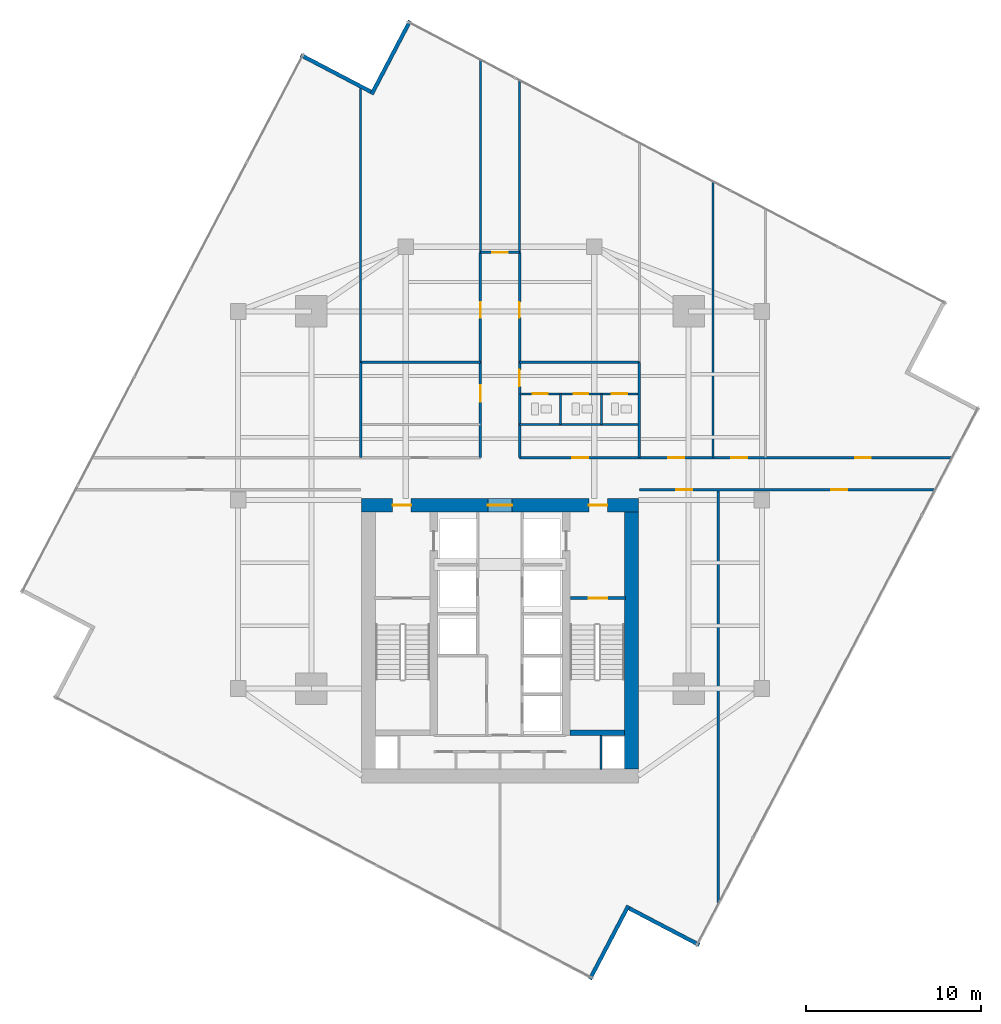
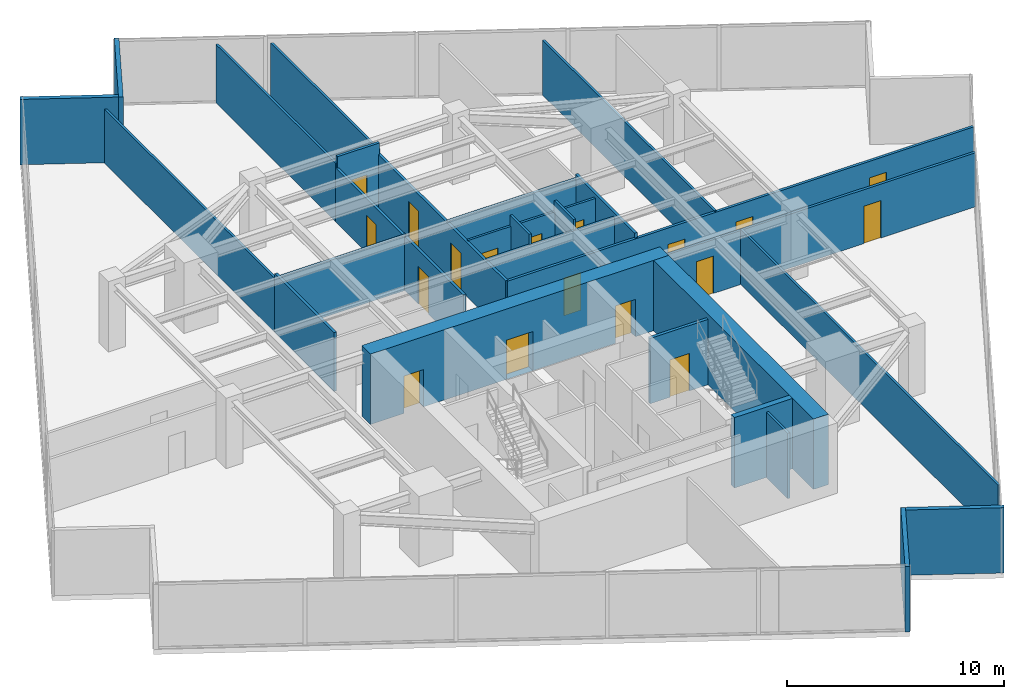
# One storey, part 24 of 27: 27 walls, 18 doors, 18 openings.
"""IFC4 building model written with IfcOpenShell, lengths in metres."""

from ifc_helpers import new_model, si_unit, direction, frame, frame_2d, origin, place, context, subcontext, project, spatial, rectangle, extrude, material, layer, layer_set, type_object, element, fill, save


model = new_model("IFC4")

# Units and contexts
model_context = context("Model", 3, precision=1e-05, world=origin(), true_north=direction((0.0, 1.0)))
body_context = subcontext(model_context, "Body", "Model", "MODEL_VIEW")
ifc_project = project(units=[si_unit("LENGTHUNIT", "METRE"), si_unit("AREAUNIT", "SQUARE_METRE"), si_unit("VOLUMEUNIT", "CUBIC_METRE"), si_unit("PLANEANGLEUNIT", "RADIAN"), si_unit("MASSUNIT", "GRAM", prefix="KILO")], contexts=[model_context])

# Site, building, storey
site_placement = place(None, origin())
site = spatial("IfcSite", under=ifc_project, at=site_placement, CompositionType="ELEMENT")
building_placement = place(site_placement, origin())
building = spatial("IfcBuilding", under=site, at=building_placement, Name="Krantzveldt Concourse Tower", CompositionType="ELEMENT")
storey_placement = place(building_placement, frame((0.0, 0.0, 154.10009765625)))
storey = spatial("IfcBuildingStorey", under=building, at=storey_placement, Name="L37", CompositionType="ELEMENT", Elevation=154.10009765625)

# Walls
ifc_material_1 = material(Name="Anodised aluminium 6063-T6", Category="aluminium")
ifc_layer_1 = layer(ifc_material_1, 0.219970703125, Name="Anodised aluminium 6063-T6", Category="aluminium")
ifc_layer_set_1 = layer_set([ifc_layer_1], Name="Anodised aluminium 6063-T6 (WL-EXT-NOTCH220)")
wall_type_1 = type_object("IfcWallType", Name="WL-EXT-NOTCH220", PredefinedType="ELEMENTEDWALL", material=ifc_layer_set_1)
wall_1_placement = place(storey_placement, frame((28.6005859375, 50.087158203125, 0.0), z_axis=(0.0, 0.0, 1.0), x_axis=(-0.885997280363, 0.463690434653, 0.0)))
element("IfcWall", 1, at=wall_1_placement, inside=storey, type_object=wall_type_1, Name="EW-L37-NCH00", PredefinedType="ELEMENTEDWALL", context=body_context, shape_type="SweptSolid", body=[
    extrude(rectangle(XDim=4.52490234375, YDim=0.219970703125, at=frame_2d((2.262451171875, 0.0))), origin(), (0.0, 0.0, 1.0), 3.669921875),
])
wall_2_placement = place(storey_placement, frame((41.15283203125, -0.74267578125, 0.0), z_axis=(0.0, 0.0, 1.0), x_axis=(0.463643579795, 0.886021800474, 0.0)))
element("IfcWall", 2, at=wall_2_placement, inside=storey, type_object=wall_type_1, Name="EW-L37-NCH05", PredefinedType="ELEMENTEDWALL", context=body_context, shape_type="SweptSolid", body=[
    extrude(rectangle(XDim=4.744873046875, YDim=0.219970703125, at=frame_2d((2.37255859375, 0.0))), origin(), (0.0, 0.0, 1.0), 3.669921875),
])
wall_3_placement = place(storey_placement, frame((43.3994140625, 3.31298828125, 0.0), z_axis=(0.0, 0.0, 1.0), x_axis=(0.885997280363, -0.463690434653, 0.0)))
element("IfcWall", 3, at=wall_3_placement, inside=storey, type_object=wall_type_1, Name="EW-L37-NCH06", PredefinedType="ELEMENTEDWALL", context=body_context, shape_type="SweptSolid", body=[
    extrude(rectangle(XDim=4.52490234375, YDim=0.219970703125, at=frame_2d((2.262451171875, 0.0))), origin(), (0.0, 0.0, 1.0), 3.669921875),
])
wall_4_placement = place(storey_placement, frame((30.84716796875, 54.142578125, 0.0), z_axis=(0.0, 0.0, 1.0), x_axis=(-0.463643579795, -0.886021800474, 0.0)))
element("IfcWall", 4, at=wall_4_placement, inside=storey, type_object=wall_type_1, Name="EW-L37-NCH11", PredefinedType="ELEMENTEDWALL", context=body_context, shape_type="SweptSolid", body=[
    extrude(rectangle(XDim=4.744873046875, YDim=0.219970703125, at=frame_2d((2.37255859375, 0.0))), origin(), (0.0, 0.0, 1.0), 3.669921875),
])
ifc_material_2 = material(Name="Fire-rated gypsum plasterboard on steel stud", Category="steel")
ifc_layer_2 = layer(ifc_material_2, 0.1201171875, Name="Fire-rated gypsum plasterboard on steel stud", Category="steel")
ifc_layer_set_2 = layer_set([ifc_layer_2], Name="Fire-rated gypsum plasterboard on steel stud (WL-PART-120)")
wall_type_2 = type_object("IfcWallType", Name="WL-PART-120", PredefinedType="PARTITIONING", material=ifc_layer_set_2)
wall_5_placement = place(storey_placement, frame((37.1201171875, 31.02001953125, 0.0), z_axis=(0.0, 0.0, 1.0), x_axis=(1.0, 0.0, 0.0)))
element("IfcWall", 5, at=wall_5_placement, inside=storey, type_object=wall_type_2, Name="WP-L37-ISMR", PredefinedType="PARTITIONING", context=body_context, shape_type="SweptSolid", body=[
    extrude(rectangle(XDim=6.85986328125, YDim=0.1201171875, at=frame_2d((3.429931640625, 0.0))), origin(), (0.0, 0.0, 1.0), 3.079833984375),
])

# Wall, openings, doors
wall_6_placement = place(storey_placement, frame((37.14990234375, 32.780029296875, 0.0), z_axis=(0.0, 0.0, 1.0), x_axis=(1.0, 0.0, 0.0)))
wall_6 = element("IfcWall", 6, at=wall_6_placement, inside=storey, type_object=wall_type_2, Name="WP-L37-WCHDR", PredefinedType="PARTITIONING", context=body_context, shape_type="SweptSolid", body=[
    extrude(rectangle(XDim=6.800048828125, YDim=0.1201171875, at=frame_2d((3.39990234375, 0.0))), origin(), (0.0, 0.0, 1.0), 3.079833984375),
])
opening_1_placement = place(wall_6_placement, frame((0.72509765625, 0.0, 0.0)))
opening_1 = element("IfcOpeningElement", 7, at=opening_1_placement, cuts=wall_6, Name="Opening D-IN085", PredefinedType="OPENING", context=body_context, shape_type="SweptSolid", body=[
    extrude(rectangle(XDim=0.85009765625, YDim=2.10009765625, at=frame_2d((0.425048828125, 1.050048828125))), frame((0.0, 0.070068359375, 0.0), z_axis=(0.0, -1.0, 0.0), x_axis=(1.0, 0.0, 0.0)), (0.0, 0.0, 1.0), 0.14013671875),
])
opening_2_placement = place(wall_6_placement, frame((3.06494140625, 0.0, 0.0)))
opening_2 = element("IfcOpeningElement", 8, at=opening_2_placement, cuts=wall_6, Name="Opening D-IN085", PredefinedType="OPENING", context=body_context, shape_type="SweptSolid", body=[
    extrude(rectangle(XDim=0.85009765625, YDim=2.10009765625, at=frame_2d((0.425048828125, 1.050048828125))), frame((0.0, 0.070068359375, 0.0), z_axis=(0.0, -1.0, 0.0), x_axis=(1.0, 0.0, 0.0)), (0.0, 0.0, 1.0), 0.14013671875),
])
opening_3_placement = place(wall_6_placement, frame((5.25, 0.0, 0.0)))
opening_3 = element("IfcOpeningElement", 9, at=opening_3_placement, cuts=wall_6, Name="Opening D-IN090", PredefinedType="OPENING", context=body_context, shape_type="SweptSolid", body=[
    extrude(rectangle(XDim=0.89990234375, YDim=2.10009765625, at=frame_2d((0.449951171875, 1.050048828125))), frame((0.0, 0.070068359375, 0.0), z_axis=(0.0, -1.0, 0.0), x_axis=(1.0, 0.0, 0.0)), (0.0, 0.0, 1.0), 0.14013671875),
])
ifc_material_3 = material(Name="Hardwood timber", Category="wood")
door_type_1 = type_object("IfcDoorType", Name="DR-INT-850", OperationType="SINGLE_SWING_LEFT", PredefinedType="DOOR", material=ifc_material_3)
door_1_placement = place(opening_1_placement, origin())
door_1 = element("IfcDoor", 10, at=door_1_placement, inside=storey, type_object=door_type_1, Name="DR-L37-WCM", OperationType="SINGLE_SWING_LEFT", OverallHeight=2.10009765625, OverallWidth=0.85009765625, PredefinedType="DOOR", context=body_context, shape_type="SweptSolid", body=[
    extrude(rectangle(XDim=0.85009765625, YDim=2.10009765625, at=frame_2d((0.425048828125, 1.050048828125))), frame((0.0, 0.02490234375, 0.0), z_axis=(0.0, -1.0, 0.0), x_axis=(1.0, 0.0, 0.0)), (0.0, 0.0, 1.0), 0.050048828125),
])
fill(opening_1, door_1)
door_2_placement = place(opening_2_placement, origin())
door_2 = element("IfcDoor", 11, at=door_2_placement, inside=storey, type_object=door_type_1, Name="DR-L37-WCF", OperationType="SINGLE_SWING_RIGHT", OverallHeight=2.10009765625, OverallWidth=0.85009765625, PredefinedType="DOOR", context=body_context, shape_type="SweptSolid", body=[
    extrude(rectangle(XDim=0.85009765625, YDim=2.10009765625, at=frame_2d((0.425048828125, 1.050048828125))), frame((0.0, 0.02490234375, 0.0), z_axis=(0.0, -1.0, 0.0), x_axis=(1.0, 0.0, 0.0)), (0.0, 0.0, 1.0), 0.050048828125),
])
fill(opening_2, door_2)
door_type_2 = type_object("IfcDoorType", Name="DR-INT-900", OperationType="SINGLE_SWING_LEFT", PredefinedType="DOOR", material=ifc_material_3)
door_3_placement = place(opening_3_placement, origin())
door_3 = element("IfcDoor", 12, at=door_3_placement, inside=storey, type_object=door_type_2, Name="DR-L37-WCA", OperationType="SINGLE_SWING_LEFT", OverallHeight=2.10009765625, OverallWidth=0.89990234375, PredefinedType="DOOR", context=body_context, shape_type="SweptSolid", body=[
    extrude(rectangle(XDim=0.89990234375, YDim=2.10009765625, at=frame_2d((0.449951171875, 1.050048828125))), frame((0.0, 0.02490234375, 0.0), z_axis=(0.0, -1.0, 0.0), x_axis=(1.0, 0.0, 0.0)), (0.0, 0.0, 1.0), 0.050048828125),
])
fill(opening_3, door_3)

# Walls
for number, where, z_axis, x_axis, name in (
    (13, (39.469970703125, 31.02001953125, 0.0), (0.0, 0.0, 1.0), (0.0, 1.0, 0.0), "WP-L37-WCD1"),
    (14, (41.81005859375, 31.02001953125, 0.0), (0.0, 0.0, 1.0), (0.0, 1.0, 0.0), "WP-L37-WCD2"),
):
    element("IfcWall", number, at=place(storey_placement, frame(where, z_axis=z_axis, x_axis=x_axis)), inside=storey, type_object=wall_type_2, Name=name, PredefinedType="PARTITIONING", context=body_context, shape_type="SweptSolid", body=[
        extrude(rectangle(XDim=1.760009765625, YDim=0.1201171875, at=frame_2d((0.8798828125, 0.0))), origin(), (0.0, 0.0, 1.0), 3.669921875),
    ])
wall_7_placement = place(storey_placement, frame((34.8798828125, 40.8798828125, 0.0), z_axis=(0.0, 0.0, 1.0), x_axis=(0.0, 1.0, 0.0)))
element("IfcWall", 15, at=wall_7_placement, inside=storey, type_object=wall_type_2, Name="WP-L37-NTL", PredefinedType="PARTITIONING", context=body_context, shape_type="SweptSolid", body=[
    extrude(rectangle(XDim=11.0224609375, YDim=0.1201171875, at=frame_2d((5.51123046875, 0.0))), origin(), (0.0, 0.0, 1.0), 3.27978515625),
])
wall_8_placement = place(storey_placement, frame((37.1201171875, 40.8798828125, 0.0), z_axis=(0.0, 0.0, 1.0), x_axis=(0.0, 1.0, 0.0)))
element("IfcWall", 16, at=wall_8_placement, inside=storey, type_object=wall_type_2, Name="WP-L37-NTR", PredefinedType="PARTITIONING", context=body_context, shape_type="SweptSolid", body=[
    extrude(rectangle(XDim=9.85009765625, YDim=0.1201171875, at=frame_2d((4.925048828125, 0.0))), origin(), (0.0, 0.0, 1.0), 3.27978515625),
])
wall_9_placement = place(storey_placement, frame((28.02001953125, 34.580078125, 0.0), z_axis=(0.0, 0.0, 1.0), x_axis=(0.0, 1.0, 0.0)))
element("IfcWall", 17, at=wall_9_placement, inside=storey, type_object=wall_type_2, Name="WP-L37-ISWL2", PredefinedType="PARTITIONING", context=body_context, shape_type="SweptSolid", body=[
    extrude(rectangle(XDim=15.68115234375, YDim=0.1201171875, at=frame_2d((7.840576171875, 0.0))), origin(), (0.0, 0.0, 1.0), 3.02978515625),
])
wall_10_placement = place(storey_placement, frame((48.199951171875, 29.1201171875, 0.0), z_axis=(0.0, 0.0, 1.0), x_axis=(0.0, 1.0, 0.0)))
element("IfcWall", 18, at=wall_10_placement, inside=storey, type_object=wall_type_2, Name="WP-L37-NEX1", PredefinedType="PARTITIONING", context=body_context, shape_type="SweptSolid", body=[
    extrude(rectangle(XDim=15.811279296875, YDim=0.1201171875, at=frame_2d((7.90576171875, 0.0))), origin(), (0.0, 0.0, 1.0), 3.079833984375),
])
wall_11_placement = place(storey_placement, frame((48.5, 3.54833984375, 0.0), z_axis=(0.0, 0.0, 1.0), x_axis=(0.0, 1.0, 0.0)))
element("IfcWall", 19, at=wall_11_placement, inside=storey, type_object=wall_type_2, Name="WP-L37-SEX1", PredefinedType="PARTITIONING", context=body_context, shape_type="SweptSolid", body=[
    extrude(rectangle(XDim=23.731689453125, YDim=0.1201171875, at=frame_2d((11.86572265625, 0.0))), origin(), (0.0, 0.0, 1.0), 3.079833984375),
])

# Wall, openings, doors
ifc_layer_3 = layer(ifc_material_2, 0.139892578125, Name="Fire-rated gypsum plasterboard on steel stud", Category="steel")
ifc_layer_set_3 = layer_set([ifc_layer_3], Name="Fire-rated gypsum plasterboard on steel stud (WL-PART-140)")
wall_type_3 = type_object("IfcWallType", Name="WL-PART-140", PredefinedType="PARTITIONING", material=ifc_layer_set_3)
wall_12_placement = place(storey_placement, frame((34.8798828125, 29.1201171875, 0.0), z_axis=(0.0, 0.0, 1.0), x_axis=(0.0, 1.0, 0.0)))
wall_12 = element("IfcWall", 20, at=wall_12_placement, inside=storey, type_object=wall_type_3, Name="WP-L37-SPWL", PredefinedType="PARTITIONING", context=body_context, shape_type="SweptSolid", body=[
    extrude(rectangle(XDim=11.759765625, YDim=0.139892578125, at=frame_2d((5.8798828125, 0.0))), origin(), (0.0, 0.0, 1.0), 3.02978515625),
])
opening_4_placement = place(wall_12_placement, frame((3.205078125, 0.0, 0.0)))
opening_4 = element("IfcOpeningElement", 21, at=opening_4_placement, cuts=wall_12, Name="Opening D-IN095", PredefinedType="OPENING", context=body_context, shape_type="SweptSolid", body=[
    extrude(rectangle(XDim=0.949951171875, YDim=2.10009765625, at=frame_2d((0.47509765625, 1.050048828125))), frame((0.0, 0.080078125, 0.0), z_axis=(0.0, -1.0, 0.0), x_axis=(1.0, 0.0, 0.0)), (0.0, 0.0, 1.0), 0.159912109375),
])
opening_5_placement = place(wall_12_placement, frame((8.02001953125, 0.0, 0.0)))
opening_5 = element("IfcOpeningElement", 22, at=opening_5_placement, cuts=wall_12, Name="Opening D-IN090", PredefinedType="OPENING", context=body_context, shape_type="SweptSolid", body=[
    extrude(rectangle(XDim=0.89990234375, YDim=2.10009765625, at=frame_2d((0.449951171875, 1.050048828125))), frame((0.0, 0.080078125, 0.0), z_axis=(0.0, -1.0, 0.0), x_axis=(1.0, 0.0, 0.0)), (0.0, 0.0, 1.0), 0.159912109375),
])
door_4_placement = place(opening_5_placement, origin())
door_4 = element("IfcDoor", 23, at=door_4_placement, inside=storey, type_object=door_type_2, Name="DR-L37-NWI1", OperationType="SINGLE_SWING_LEFT", OverallHeight=2.10009765625, OverallWidth=0.89990234375, PredefinedType="DOOR", context=body_context, shape_type="SweptSolid", body=[
    extrude(rectangle(XDim=0.89990234375, YDim=2.10009765625, at=frame_2d((0.449951171875, 1.050048828125))), frame((0.0, 0.02490234375, 0.0), z_axis=(0.0, -1.0, 0.0), x_axis=(1.0, 0.0, 0.0)), (0.0, 0.0, 1.0), 0.050048828125),
])
fill(opening_5, door_4)
door_type_3 = type_object("IfcDoorType", Name="DR-INT-950", OperationType="SINGLE_SWING_LEFT", PredefinedType="DOOR", material=ifc_material_3)
door_5_placement = place(opening_4_placement, origin())
door_5 = element("IfcDoor", 24, at=door_5_placement, inside=storey, type_object=door_type_3, Name="DR-L37-PNT", OperationType="SINGLE_SWING_RIGHT", OverallHeight=2.10009765625, OverallWidth=0.949951171875, PredefinedType="DOOR", context=body_context, shape_type="SweptSolid", body=[
    extrude(rectangle(XDim=0.949951171875, YDim=2.10009765625, at=frame_2d((0.47509765625, 1.050048828125))), frame((0.0, 0.02490234375, 0.0), z_axis=(0.0, -1.0, 0.0), x_axis=(1.0, 0.0, 0.0)), (0.0, 0.0, 1.0), 0.050048828125),
])
fill(opening_4, door_5)

wall_13_placement = place(storey_placement, frame((37.1201171875, 29.1201171875, 0.0), z_axis=(0.0, 0.0, 1.0), x_axis=(0.0, 1.0, 0.0)))
wall_13 = element("IfcWall", 25, at=wall_13_placement, inside=storey, type_object=wall_type_3, Name="WP-L37-SPER", PredefinedType="PARTITIONING", context=body_context, shape_type="SweptSolid", body=[
    extrude(rectangle(XDim=11.759765625, YDim=0.139892578125, at=frame_2d((5.8798828125, 0.0))), origin(), (0.0, 0.0, 1.0), 3.02978515625),
])
opening_6_placement = place(wall_13_placement, frame((4.0849609375, 0.0, 0.0)))
opening_6 = element("IfcOpeningElement", 26, at=opening_6_placement, cuts=wall_13, Name="Opening D-IN095", PredefinedType="OPENING", context=body_context, shape_type="SweptSolid", body=[
    extrude(rectangle(XDim=0.949951171875, YDim=2.10009765625, at=frame_2d((0.47509765625, 1.050048828125))), frame((0.0, 0.080078125, 0.0), z_axis=(0.0, -1.0, 0.0), x_axis=(1.0, 0.0, 0.0)), (0.0, 0.0, 1.0), 0.159912109375),
])
opening_7_placement = place(wall_13_placement, frame((8.02001953125, 0.0, 0.0)))
opening_7 = element("IfcOpeningElement", 27, at=opening_7_placement, cuts=wall_13, Name="Opening D-IN090", PredefinedType="OPENING", context=body_context, shape_type="SweptSolid", body=[
    extrude(rectangle(XDim=0.89990234375, YDim=2.10009765625, at=frame_2d((0.449951171875, 1.050048828125))), frame((0.0, 0.080078125, 0.0), z_axis=(0.0, -1.0, 0.0), x_axis=(1.0, 0.0, 0.0)), (0.0, 0.0, 1.0), 0.159912109375),
])
door_6_placement = place(opening_7_placement, origin())
door_6 = element("IfcDoor", 28, at=door_6_placement, inside=storey, type_object=door_type_2, Name="DR-L37-NEI1", OperationType="SINGLE_SWING_LEFT", OverallHeight=2.10009765625, OverallWidth=0.89990234375, PredefinedType="DOOR", context=body_context, shape_type="SweptSolid", body=[
    extrude(rectangle(XDim=0.89990234375, YDim=2.10009765625, at=frame_2d((0.449951171875, 1.050048828125))), frame((0.0, 0.02490234375, 0.0), z_axis=(0.0, -1.0, 0.0), x_axis=(1.0, 0.0, 0.0)), (0.0, 0.0, 1.0), 0.050048828125),
])
fill(opening_7, door_6)
door_7_placement = place(opening_6_placement, origin())
door_7 = element("IfcDoor", 29, at=door_7_placement, inside=storey, type_object=door_type_3, Name="DR-L37-WCLB", OperationType="SINGLE_SWING_LEFT", OverallHeight=2.10009765625, OverallWidth=0.949951171875, PredefinedType="DOOR", context=body_context, shape_type="SweptSolid", body=[
    extrude(rectangle(XDim=0.949951171875, YDim=2.10009765625, at=frame_2d((0.47509765625, 1.050048828125))), frame((0.0, 0.02490234375, 0.0), z_axis=(0.0, -1.0, 0.0), x_axis=(1.0, 0.0, 0.0)), (0.0, 0.0, 1.0), 0.050048828125),
])
fill(opening_6, door_7)

# Wall, opening, door
wall_14_placement = place(storey_placement, frame((34.8798828125, 40.8798828125, 0.0), z_axis=(0.0, 0.0, 1.0), x_axis=(1.0, 0.0, 0.0)))
wall_14 = element("IfcWall", 30, at=wall_14_placement, inside=storey, type_object=wall_type_3, Name="WP-L37-SPTOP", PredefinedType="PARTITIONING", context=body_context, shape_type="SweptSolid", body=[
    extrude(rectangle(XDim=2.240234375, YDim=0.139892578125, at=frame_2d((1.1201171875, 0.0))), origin(), (0.0, 0.0, 1.0), 3.669921875),
])
opening_8_placement = place(wall_14_placement, frame((0.669921875, 0.0, 0.0)))
opening_8 = element("IfcOpeningElement", 31, at=opening_8_placement, cuts=wall_14, Name="Opening D-IN090", PredefinedType="OPENING", context=body_context, shape_type="SweptSolid", body=[
    extrude(rectangle(XDim=0.89990234375, YDim=2.10009765625, at=frame_2d((0.449951171875, 1.050048828125))), frame((0.0, 0.080078125, 0.0), z_axis=(0.0, -1.0, 0.0), x_axis=(1.0, 0.0, 0.0)), (0.0, 0.0, 1.0), 0.159912109375),
])
door_8_placement = place(opening_8_placement, origin())
door_8 = element("IfcDoor", 32, at=door_8_placement, inside=storey, type_object=door_type_2, Name="DR-L37-NTOP", OperationType="SINGLE_SWING_LEFT", OverallHeight=2.10009765625, OverallWidth=0.89990234375, PredefinedType="DOOR", context=body_context, shape_type="SweptSolid", body=[
    extrude(rectangle(XDim=0.89990234375, YDim=2.10009765625, at=frame_2d((0.449951171875, 1.050048828125))), frame((0.0, 0.02490234375, 0.0), z_axis=(0.0, -1.0, 0.0), x_axis=(1.0, 0.0, 0.0)), (0.0, 0.0, 1.0), 0.050048828125),
])
fill(opening_8, door_8)

# Wall, openings, doors
wall_15_placement = place(storey_placement, frame((37.1201171875, 29.1201171875, 0.0), z_axis=(0.0, 0.0, 1.0), x_axis=(1.0, 0.0, 0.0)))
wall_15 = element("IfcWall", 33, at=wall_15_placement, inside=storey, type_object=wall_type_3, Name="WP-L37-EWNR", PredefinedType="PARTITIONING", context=body_context, shape_type="SweptSolid", body=[
    extrude(rectangle(XDim=24.7626953125, YDim=0.139892578125, at=frame_2d((12.38134765625, 0.0))), origin(), (0.0, 0.0, 1.0), 3.02978515625),
])
opening_9_placement = place(wall_15_placement, frame((3.030029296875, 0.0, 0.0)))
opening_9 = element("IfcOpeningElement", 34, at=opening_9_placement, cuts=wall_15, Name="Opening D-IN090", PredefinedType="OPENING", context=body_context, shape_type="SweptSolid", body=[
    extrude(rectangle(XDim=0.89990234375, YDim=2.10009765625, at=frame_2d((0.449951171875, 1.050048828125))), frame((0.0, 0.080078125, 0.0), z_axis=(0.0, -1.0, 0.0), x_axis=(1.0, 0.0, 0.0)), (0.0, 0.0, 1.0), 0.159912109375),
])
opening_10_placement = place(wall_15_placement, frame((8.52001953125, 0.0, 0.0)))
opening_10 = element("IfcOpeningElement", 35, at=opening_10_placement, cuts=wall_15, Name="Opening D-IN090", PredefinedType="OPENING", context=body_context, shape_type="SweptSolid", body=[
    extrude(rectangle(XDim=0.89990234375, YDim=2.10009765625, at=frame_2d((0.449951171875, 1.050048828125))), frame((0.0, 0.080078125, 0.0), z_axis=(0.0, -1.0, 0.0), x_axis=(1.0, 0.0, 0.0)), (0.0, 0.0, 1.0), 0.159912109375),
])
opening_11_placement = place(wall_15_placement, frame((12.1298828125, 0.0, 0.0)))
opening_11 = element("IfcOpeningElement", 36, at=opening_11_placement, cuts=wall_15, Name="Opening D-IN090", PredefinedType="OPENING", context=body_context, shape_type="SweptSolid", body=[
    extrude(rectangle(XDim=0.89990234375, YDim=2.10009765625, at=frame_2d((0.449951171875, 1.050048828125))), frame((0.0, 0.080078125, 0.0), z_axis=(0.0, -1.0, 0.0), x_axis=(1.0, 0.0, 0.0)), (0.0, 0.0, 1.0), 0.159912109375),
])
opening_12_placement = place(wall_15_placement, frame((19.217041015625, 0.0, 0.0)))
opening_12 = element("IfcOpeningElement", 37, at=opening_12_placement, cuts=wall_15, Name="Opening D-IN090", PredefinedType="OPENING", context=body_context, shape_type="SweptSolid", body=[
    extrude(rectangle(XDim=0.89990234375, YDim=2.10009765625, at=frame_2d((0.449951171875, 1.050048828125))), frame((0.0, 0.080078125, 0.0), z_axis=(0.0, -1.0, 0.0), x_axis=(1.0, 0.0, 0.0)), (0.0, 0.0, 1.0), 0.159912109375),
])
door_9_placement = place(opening_9_placement, origin())
door_9 = element("IfcDoor", 38, at=door_9_placement, inside=storey, type_object=door_type_2, Name="DR-L37-ALCR", OperationType="SINGLE_SWING_RIGHT", OverallHeight=2.10009765625, OverallWidth=0.89990234375, PredefinedType="DOOR", context=body_context, shape_type="SweptSolid", body=[
    extrude(rectangle(XDim=0.89990234375, YDim=2.10009765625, at=frame_2d((0.449951171875, 1.050048828125))), frame((0.0, 0.02490234375, 0.0), z_axis=(0.0, -1.0, 0.0), x_axis=(1.0, 0.0, 0.0)), (0.0, 0.0, 1.0), 0.050048828125),
])
fill(opening_9, door_9)
door_10_placement = place(opening_10_placement, origin())
door_10 = element("IfcDoor", 39, at=door_10_placement, inside=storey, type_object=door_type_2, Name="DR-L37-NEX1", OperationType="SINGLE_SWING_RIGHT", OverallHeight=2.10009765625, OverallWidth=0.89990234375, PredefinedType="DOOR", context=body_context, shape_type="SweptSolid", body=[
    extrude(rectangle(XDim=0.89990234375, YDim=2.10009765625, at=frame_2d((0.449951171875, 1.050048828125))), frame((0.0, 0.02490234375, 0.0), z_axis=(0.0, -1.0, 0.0), x_axis=(1.0, 0.0, 0.0)), (0.0, 0.0, 1.0), 0.050048828125),
])
fill(opening_10, door_10)
door_11_placement = place(opening_11_placement, origin())
door_11 = element("IfcDoor", 40, at=door_11_placement, inside=storey, type_object=door_type_2, Name="DR-L37-NEX2", OperationType="SINGLE_SWING_RIGHT", OverallHeight=2.10009765625, OverallWidth=0.89990234375, PredefinedType="DOOR", context=body_context, shape_type="SweptSolid", body=[
    extrude(rectangle(XDim=0.89990234375, YDim=2.10009765625, at=frame_2d((0.449951171875, 1.050048828125))), frame((0.0, 0.02490234375, 0.0), z_axis=(0.0, -1.0, 0.0), x_axis=(1.0, 0.0, 0.0)), (0.0, 0.0, 1.0), 0.050048828125),
])
fill(opening_11, door_11)
door_12_placement = place(opening_12_placement, origin())
door_12 = element("IfcDoor", 41, at=door_12_placement, inside=storey, type_object=door_type_2, Name="DR-L37-NEX3", OperationType="SINGLE_SWING_RIGHT", OverallHeight=2.10009765625, OverallWidth=0.89990234375, PredefinedType="DOOR", context=body_context, shape_type="SweptSolid", body=[
    extrude(rectangle(XDim=0.89990234375, YDim=2.10009765625, at=frame_2d((0.449951171875, 1.050048828125))), frame((0.0, 0.02490234375, 0.0), z_axis=(0.0, -1.0, 0.0), x_axis=(1.0, 0.0, 0.0)), (0.0, 0.0, 1.0), 0.050048828125),
])
fill(opening_12, door_12)

wall_16_placement = place(storey_placement, frame((44.0, 27.280029296875, 0.0), z_axis=(0.0, 0.0, 1.0), x_axis=(1.0, 0.0, 0.0)))
wall_16 = element("IfcWall", 42, at=wall_16_placement, inside=storey, type_object=wall_type_3, Name="WP-L37-EWSR", PredefinedType="PARTITIONING", context=body_context, shape_type="SweptSolid", body=[
    extrude(rectangle(XDim=16.919921875, YDim=0.139892578125, at=frame_2d((8.4599609375, 0.0))), origin(), (0.0, 0.0, 1.0), 3.02978515625),
])
opening_13_placement = place(wall_16_placement, frame((2.10009765625, 0.0, 0.0)))
opening_13 = element("IfcOpeningElement", 43, at=opening_13_placement, cuts=wall_16, Name="Opening D-IN090", PredefinedType="OPENING", context=body_context, shape_type="SweptSolid", body=[
    extrude(rectangle(XDim=0.89990234375, YDim=2.10009765625, at=frame_2d((0.449951171875, 1.050048828125))), frame((0.0, 0.080078125, 0.0), z_axis=(0.0, -1.0, 0.0), x_axis=(1.0, 0.0, 0.0)), (0.0, 0.0, 1.0), 0.159912109375),
])
opening_14_placement = place(wall_16_placement, frame((10.987060546875, 0.0, 0.0)))
opening_14 = element("IfcOpeningElement", 44, at=opening_14_placement, cuts=wall_16, Name="Opening D-IN090", PredefinedType="OPENING", context=body_context, shape_type="SweptSolid", body=[
    extrude(rectangle(XDim=0.89990234375, YDim=2.10009765625, at=frame_2d((0.449951171875, 1.050048828125))), frame((0.0, 0.080078125, 0.0), z_axis=(0.0, -1.0, 0.0), x_axis=(1.0, 0.0, 0.0)), (0.0, 0.0, 1.0), 0.159912109375),
])
door_13_placement = place(opening_13_placement, origin())
door_13 = element("IfcDoor", 45, at=door_13_placement, inside=storey, type_object=door_type_2, Name="DR-L37-SEX1", OperationType="SINGLE_SWING_RIGHT", OverallHeight=2.10009765625, OverallWidth=0.89990234375, PredefinedType="DOOR", context=body_context, shape_type="SweptSolid", body=[
    extrude(rectangle(XDim=0.89990234375, YDim=2.10009765625, at=frame_2d((0.449951171875, 1.050048828125))), frame((0.0, 0.02490234375, 0.0), z_axis=(0.0, -1.0, 0.0), x_axis=(1.0, 0.0, 0.0)), (0.0, 0.0, 1.0), 0.050048828125),
])
fill(opening_13, door_13)
door_14_placement = place(opening_14_placement, origin())
door_14 = element("IfcDoor", 46, at=door_14_placement, inside=storey, type_object=door_type_2, Name="DR-L37-SEX2", OperationType="SINGLE_SWING_RIGHT", OverallHeight=2.10009765625, OverallWidth=0.89990234375, PredefinedType="DOOR", context=body_context, shape_type="SweptSolid", body=[
    extrude(rectangle(XDim=0.89990234375, YDim=2.10009765625, at=frame_2d((0.449951171875, 1.050048828125))), frame((0.0, 0.02490234375, 0.0), z_axis=(0.0, -1.0, 0.0), x_axis=(1.0, 0.0, 0.0)), (0.0, 0.0, 1.0), 0.050048828125),
])
fill(opening_14, door_14)

# Walls
for number, where, z_axis, x_axis, name in (
    (47, (28.02001953125, 34.580078125, 0.0), (0.0, 0.0, 1.0), (1.0, 0.0, 0.0), "WP-L37-ISNL"),
    (48, (37.1201171875, 34.580078125, 0.0), (0.0, 0.0, 1.0), (1.0, 0.0, 0.0), "WP-L37-ISNR"),
):
    element("IfcWall", number, at=place(storey_placement, frame(where, z_axis=z_axis, x_axis=x_axis)), inside=storey, type_object=wall_type_3, Name=name, PredefinedType="PARTITIONING", context=body_context, shape_type="SweptSolid", body=[
        extrude(rectangle(XDim=6.85986328125, YDim=0.139892578125, at=frame_2d((3.429931640625, 0.0))), origin(), (0.0, 0.0, 1.0), 3.079833984375),
    ])
for number, where, z_axis, x_axis, name in (
    (49, (28.02001953125, 29.1201171875, 0.0), (0.0, 0.0, 1.0), (0.0, 1.0, 0.0), "WP-L37-ISWL"),
    (50, (43.97998046875, 29.1201171875, 0.0), (0.0, 0.0, 1.0), (0.0, 1.0, 0.0), "WP-L37-ISER"),
):
    element("IfcWall", number, at=place(storey_placement, frame(where, z_axis=z_axis, x_axis=x_axis)), inside=storey, type_object=wall_type_3, Name=name, PredefinedType="PARTITIONING", context=body_context, shape_type="SweptSolid", body=[
        extrude(rectangle(XDim=5.4599609375, YDim=0.139892578125, at=frame_2d((2.72998046875, 0.0))), origin(), (0.0, 0.0, 1.0), 3.309814453125),
    ])
ifc_layer_4 = layer(ifc_material_2, 0.139892578125, Name="Fire-rated gypsum plasterboard on steel stud", Category="steel")
ifc_layer_set_4 = layer_set([ifc_layer_4], Name="Fire-rated gypsum plasterboard on steel stud (WL-PART-FR140)")
wall_type_4 = type_object("IfcWallType", Name="WL-PART-FR140", PredefinedType="PARTITIONING", material=ifc_layer_set_4)
wall_17_placement = place(storey_placement, frame((41.780029296875, 11.25, 0.0), z_axis=(0.0, 0.0, 1.0), x_axis=(0.0, 1.0, 0.0)))
element("IfcWall", 51, at=wall_17_placement, inside=storey, type_object=wall_type_4, Name="WP-L37-RSE", PredefinedType="PARTITIONING", context=body_context, shape_type="SweptSolid", body=[
    extrude(rectangle(XDim=1.969970703125, YDim=0.1201171875, at=frame_2d((0.98486328125, 0.0))), origin(), (0.0, 0.0, 1.0), 3.669921875),
])

# Wall, opening, door
ifc_layer_5 = layer(ifc_material_2, 0.159912109375, Name="Fire-rated gypsum plasterboard on steel stud", Category="steel")
ifc_layer_set_5 = layer_set([ifc_layer_5], Name="Fire-rated gypsum plasterboard on steel stud (WL-PART-FR160)")
wall_type_5 = type_object("IfcWallType", Name="WL-PART-FR160", PredefinedType="PARTITIONING", material=ifc_layer_set_5)
wall_18_placement = place(storey_placement, frame((40.0400390625, 21.080078125, 0.0), z_axis=(0.0, 0.0, 1.0), x_axis=(1.0, 0.0, 0.0)))
wall_18 = element("IfcWall", 52, at=wall_18_placement, inside=storey, type_object=wall_type_5, Name="WP-L37-ST2", PredefinedType="PARTITIONING", context=body_context, shape_type="SweptSolid", body=[
    extrude(rectangle(XDim=3.159912109375, YDim=0.159912109375, at=frame_2d((1.580078125, 0.0))), origin(), (0.0, 0.0, 1.0), 3.669921875),
])
opening_15_placement = place(wall_18_placement, frame((1.054931640625, 0.0, 0.0)))
opening_15 = element("IfcOpeningElement", 53, at=opening_15_placement, cuts=wall_18, Name="Opening D-FD105", PredefinedType="OPENING", context=body_context, shape_type="SweptSolid", body=[
    extrude(rectangle(XDim=1.050048828125, YDim=2.10009765625, at=frame_2d((0.52490234375, 1.050048828125))), frame((0.0, 0.08984375, 0.0), z_axis=(0.0, -1.0, 0.0), x_axis=(1.0, 0.0, 0.0)), (0.0, 0.0, 1.0), 0.179931640625),
])
ifc_material_4 = material(Name="Galvanised steel", Category="steel")
door_type_4 = type_object("IfcDoorType", Name="DR-FD120-1050", OperationType="SINGLE_SWING_LEFT", PredefinedType="DOOR", material=ifc_material_4)
door_15_placement = place(opening_15_placement, origin())
door_15 = element("IfcDoor", 54, at=door_15_placement, inside=storey, type_object=door_type_4, Name="DR-L37-ST2", OperationType="SINGLE_SWING_LEFT", OverallHeight=2.10009765625, OverallWidth=1.050048828125, PredefinedType="DOOR", context=body_context, shape_type="SweptSolid", body=[
    extrude(rectangle(XDim=1.050048828125, YDim=2.10009765625, at=frame_2d((0.52490234375, 1.050048828125))), frame((0.0, 0.02490234375, 0.0), z_axis=(0.0, -1.0, 0.0), x_axis=(1.0, 0.0, 0.0)), (0.0, 0.0, 1.0), 0.050048828125),
])
fill(opening_15, door_15)

# Wall
ifc_material_5 = material(Name="Concrete C50/60", Category="concrete")
ifc_layer_6 = layer(ifc_material_5, 0.300048828125, Name="Concrete C50/60", Category="concrete")
ifc_layer_set_6 = layer_set([ifc_layer_6], Name="Concrete C50/60 (WL-SHEAR-300)")
wall_type_6 = type_object("IfcWallType", Name="WL-SHEAR-300", PredefinedType="SHEAR", material=ifc_layer_set_6)
wall_19_placement = place(storey_placement, frame((40.02001953125, 13.3701171875, 0.0), z_axis=(0.0, 0.0, 1.0), x_axis=(1.0, 0.0, 0.0)))
element("IfcWall", 55, at=wall_19_placement, inside=storey, type_object=wall_type_6, Name="CW-L37-ST2S", PredefinedType="SHEAR", context=body_context, shape_type="SweptSolid", body=[
    extrude(rectangle(XDim=3.10009765625, YDim=0.300048828125, at=frame_2d((1.550048828125, 0.0))), origin(), (0.0, 0.0, 1.0), 3.949951171875),
])

# Wall, openings, doors
ifc_material_6 = material(Name="Concrete C60/75", Category="concrete")
ifc_layer_7 = layer(ifc_material_6, 0.800048828125, Name="Concrete C60/75", Category="concrete")
ifc_layer_set_7 = layer_set([ifc_layer_7], Name="Concrete C60/75 (WL-SHEAR-800)")
wall_type_7 = type_object("IfcWallType", Name="WL-SHEAR-800", PredefinedType="SHEAR", material=ifc_layer_set_7)
wall_20_placement = place(storey_placement, frame((28.080078125, 26.39990234375, 0.0), z_axis=(0.0, 0.0, 1.0), x_axis=(1.0, 0.0, 0.0)))
wall_20 = element("IfcWall", 56, at=wall_20_placement, inside=storey, type_object=wall_type_7, Name="CW-L37-N", PredefinedType="SHEAR", context=body_context, shape_type="SweptSolid", body=[
    extrude(rectangle(XDim=15.83984375, YDim=0.800048828125, at=frame_2d((7.919921875, 0.0))), origin(), (0.0, 0.0, 1.0), 3.949951171875),
])
opening_16_placement = place(wall_20_placement, frame((7.219970703125, 0.0, 0.0)))
opening_16 = element("IfcOpeningElement", 57, at=opening_16_placement, cuts=wall_20, Name="Opening D-DB140", PredefinedType="OPENING", context=body_context, shape_type="SweptSolid", body=[
    extrude(rectangle(XDim=1.39990234375, YDim=2.199951171875, at=frame_2d((0.699951171875, 1.10009765625))), frame((0.0, 0.41015625, 0.0), z_axis=(0.0, -1.0, 0.0), x_axis=(1.0, 0.0, 0.0)), (0.0, 0.0, 1.0), 0.820068359375),
])
opening_17_placement = place(wall_20_placement, frame((1.77490234375, 0.0, 0.0)))
opening_17 = element("IfcOpeningElement", 58, at=opening_17_placement, cuts=wall_20, Name="Opening D-FD105", PredefinedType="OPENING", context=body_context, shape_type="SweptSolid", body=[
    extrude(rectangle(XDim=1.050048828125, YDim=2.10009765625, at=frame_2d((0.52490234375, 1.050048828125))), frame((0.0, 0.41015625, 0.0), z_axis=(0.0, -1.0, 0.0), x_axis=(1.0, 0.0, 0.0)), (0.0, 0.0, 1.0), 0.820068359375),
])
opening_18_placement = place(wall_20_placement, frame((13.014892578125, 0.0, 0.0)))
opening_18 = element("IfcOpeningElement", 59, at=opening_18_placement, cuts=wall_20, Name="Opening D-FD105", PredefinedType="OPENING", context=body_context, shape_type="SweptSolid", body=[
    extrude(rectangle(XDim=1.050048828125, YDim=2.10009765625, at=frame_2d((0.52490234375, 1.050048828125))), frame((0.0, 0.41015625, 0.0), z_axis=(0.0, -1.0, 0.0), x_axis=(1.0, 0.0, 0.0)), (0.0, 0.0, 1.0), 0.820068359375),
])
door_type_5 = type_object("IfcDoorType", Name="DR-DBL-1400", OperationType="DOUBLE_DOOR_SINGLE_SWING", PredefinedType="DOOR", material=ifc_material_1)
door_16_placement = place(opening_16_placement, origin())
door_16 = element("IfcDoor", 60, at=door_16_placement, inside=storey, type_object=door_type_5, Name="DR-L37-LLB", OperationType="DOUBLE_DOOR_SINGLE_SWING", OverallHeight=2.199951171875, OverallWidth=1.39990234375, PredefinedType="DOOR", context=body_context, shape_type="SweptSolid", body=[
    extrude(rectangle(XDim=1.39990234375, YDim=2.199951171875, at=frame_2d((0.699951171875, 1.10009765625))), frame((0.0, 0.02490234375, 0.0), z_axis=(0.0, -1.0, 0.0), x_axis=(1.0, 0.0, 0.0)), (0.0, 0.0, 1.0), 0.050048828125),
])
fill(opening_16, door_16)
door_17_placement = place(opening_17_placement, origin())
door_17 = element("IfcDoor", 61, at=door_17_placement, inside=storey, type_object=door_type_4, Name="DR-L37-FFL1", OperationType="SINGLE_SWING_LEFT", OverallHeight=2.10009765625, OverallWidth=1.050048828125, PredefinedType="DOOR", context=body_context, shape_type="SweptSolid", body=[
    extrude(rectangle(XDim=1.050048828125, YDim=2.10009765625, at=frame_2d((0.52490234375, 1.050048828125))), frame((0.0, 0.02490234375, 0.0), z_axis=(0.0, -1.0, 0.0), x_axis=(1.0, 0.0, 0.0)), (0.0, 0.0, 1.0), 0.050048828125),
])
fill(opening_17, door_17)
door_18_placement = place(opening_18_placement, origin())
door_18 = element("IfcDoor", 62, at=door_18_placement, inside=storey, type_object=door_type_4, Name="DR-L37-FFL2", OperationType="SINGLE_SWING_RIGHT", OverallHeight=2.10009765625, OverallWidth=1.050048828125, PredefinedType="DOOR", context=body_context, shape_type="SweptSolid", body=[
    extrude(rectangle(XDim=1.050048828125, YDim=2.10009765625, at=frame_2d((0.52490234375, 1.050048828125))), frame((0.0, 0.02490234375, 0.0), z_axis=(0.0, -1.0, 0.0), x_axis=(1.0, 0.0, 0.0)), (0.0, 0.0, 1.0), 0.050048828125),
])
fill(opening_18, door_18)

# Wall
wall_21_placement = place(storey_placement, frame((43.52001953125, 11.300048828125, 0.0), z_axis=(0.0, 0.0, 1.0), x_axis=(0.0, 1.0, 0.0)))
element("IfcWall", 63, at=wall_21_placement, inside=storey, type_object=wall_type_7, Name="CW-L37-E", PredefinedType="SHEAR", context=body_context, shape_type="SweptSolid", body=[
    extrude(rectangle(XDim=14.699951171875, YDim=0.800048828125, at=frame_2d((7.35009765625, 0.0))), origin(), (0.0, 0.0, 1.0), 3.949951171875),
])

save(model, "model.ifc")
